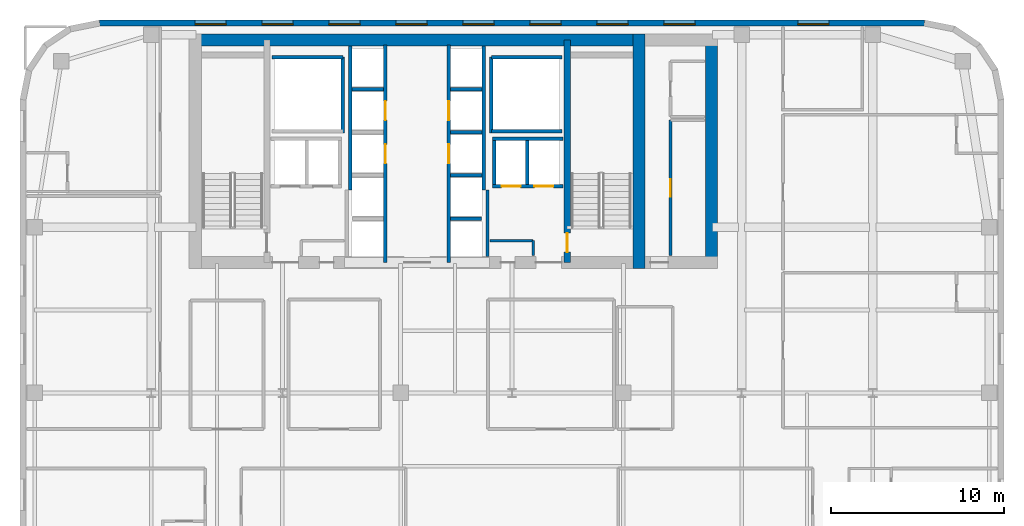
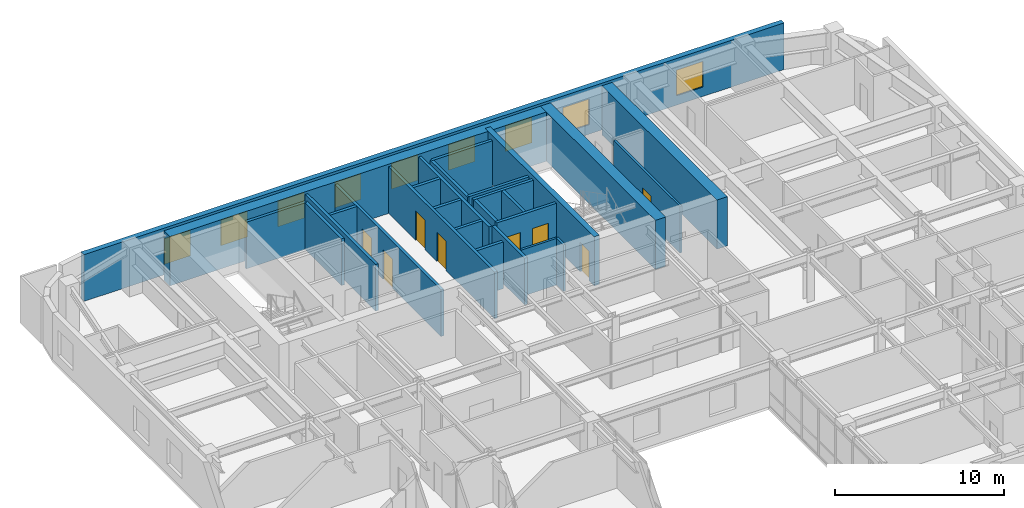
# One storey, part 15 of 17: 27 walls, 9 windows, 8 doors, 17 openings.
"""IFC4 building model written with IfcOpenShell, lengths in metres."""

from ifc_helpers import new_model, si_unit, direction, frame, frame_2d, origin, place, context, subcontext, project, spatial, rectangle, extrude, source, transform, mapped, material, layer, layer_set, type_object, type_shapes, element, fill, save


model = new_model("IFC4")

# Units and contexts
model_context = context("Model", 3, precision=1e-05, world=origin(), true_north=direction((0.0, 1.0)))
body_context = subcontext(model_context, "Body", "Model", "MODEL_VIEW")
ifc_project = project(units=[si_unit("LENGTHUNIT", "METRE"), si_unit("AREAUNIT", "SQUARE_METRE"), si_unit("VOLUMEUNIT", "CUBIC_METRE"), si_unit("PLANEANGLEUNIT", "RADIAN"), si_unit("MASSUNIT", "GRAM", prefix="KILO")], contexts=[model_context])

# Site, building, storey
site_placement = place(None, origin())
site = spatial("IfcSite", under=ifc_project, at=site_placement, CompositionType="ELEMENT")
building_placement = place(site_placement, origin())
building = spatial("IfcBuilding", under=site, at=building_placement, Name="Tolvann Quenvar Hotel", CompositionType="ELEMENT")
storey_placement = place(building_placement, frame((0.0, 0.0, 136.39990234375)))
storey = spatial("IfcBuildingStorey", under=building, at=storey_placement, Name="L35", CompositionType="ELEMENT", Elevation=136.39990234375)

# Walls
ifc_material_1 = material(Name="Concrete S65 (65 MPa)", Category="concrete")
ifc_layer_1 = layer(ifc_material_1, 0.699951171875)
ifc_layer_set_1 = layer_set([ifc_layer_1], Name="Concrete S65 (65 MPa)")
wall_type_1 = type_object("IfcWallType", Name="WALL_CORE_700", PredefinedType="SHEAR", material=ifc_layer_set_1)
wall_1_placement = place(storey_placement, frame((9.800048828125, 44.85009765625, 0.0), z_axis=(0.0, 0.0, 1.0), x_axis=(1.0, 0.0, 0.0)))
element("IfcWall", 1, at=wall_1_placement, inside=storey, type_object=wall_type_1, Name="Rear Core N Shear Wall (L35)", PredefinedType="SHEAR", context=body_context, shape_type="SweptSolid", body=[
    extrude(rectangle(XDim=26.39990234375, YDim=0.699951171875, at=frame_2d((13.199951171875, 0.0))), origin(), (0.0, 0.0, 1.0), 3.550048828125),
])
for number, where, z_axis, x_axis, name in (
    (2, (35.85009765625, 31.60009765625, 0.0), (0.0, 0.0, 1.0), (0.0, 1.0, 0.0), "Rear Core E Shear Wall (L35)"),
    (3, (40.050048828125, 31.60009765625, 0.0), (0.0, 0.0, 1.0), (0.0, 1.0, 0.0), "Core East Annex Shear Wall ANN-E (L35)"),
):
    element("IfcWall", number, at=place(storey_placement, frame(where, z_axis=z_axis, x_axis=x_axis)), inside=storey, type_object=wall_type_1, Name=name, PredefinedType="SHEAR", context=body_context, shape_type="SweptSolid", body=[
        extrude(rectangle(XDim=13.599853515625, YDim=0.699951171875, at=frame_2d((6.7998046875, 0.0))), origin(), (0.0, 0.0, 1.0), 3.550048828125),
    ])

# Wall, opening, door
ifc_layer_2 = layer(ifc_material_1, 0.35009765625)
ifc_layer_set_2 = layer_set([ifc_layer_2], Name="Concrete S65 (65 MPa)")
wall_type_2 = type_object("IfcWallType", Name="WALL_CORE_INT_350", PredefinedType="SHEAR", material=ifc_layer_set_2)
wall_2_placement = place(storey_placement, frame((31.699951171875, 31.949951171875, 0.0), z_axis=(0.0, 0.0, 1.0), x_axis=(0.0, 1.0, 0.0)))
wall_2 = element("IfcWall", 4, at=wall_2_placement, inside=storey, type_object=wall_type_2, Name="Core Internal Web Shear Wall WEB-E (L35)", PredefinedType="SHEAR", context=body_context, shape_type="SweptSolid", body=[
    extrude(rectangle(XDim=12.900146484375, YDim=0.35009765625, at=frame_2d((6.4501953125, 0.0))), origin(), (0.0, 0.0, 1.0), 3.550048828125),
])
opening_1_placement = place(wall_2_placement, frame((1.7001953125, 0.0, 0.0), z_axis=(0.0, 0.0, 1.0), x_axis=(-1.0, 0.0, 0.0)))
opening_1 = element("IfcOpeningElement", 5, at=opening_1_placement, cuts=wall_2, Name="Opening FD-120", PredefinedType="OPENING", context=body_context, shape_type="SweptSolid", body=[
    extrude(rectangle(XDim=1.10009765625, YDim=2.1201171875, at=frame_2d((0.550048828125, 1.06005859375))), frame((0.0, 0.18505859375, 0.0), z_axis=(0.0, -1.0, 0.0), x_axis=(1.0, 0.0, 0.0)), (0.0, 0.0, 1.0), 0.3701171875),
])
ifc_material_2 = material(Name="Pressed galvanised steel fire-rated door set", Category="steel")
door_type_1 = type_object("IfcDoorType", Name="DOOR_FIRE_STAIR_1100", OperationType="NOTDEFINED", PredefinedType="DOOR", material=ifc_material_2)
shared_shape_1 = source(origin(), body_context, "Body", "SweptSolid", [
    extrude(rectangle(XDim=1.10009765625, YDim=2.1201171875, at=frame_2d((0.550048828125, 1.06005859375))), frame((0.0, 0.02490234375, 0.0), z_axis=(0.0, -1.0, 0.0), x_axis=(1.0, 0.0, 0.0)), (0.0, 0.0, 1.0), 0.050048828125),
])
type_shapes(door_type_1, [shared_shape_1])
door_1_placement = place(opening_1_placement, origin())
door_1 = element("IfcDoor", 6, at=door_1_placement, inside=storey, type_object=door_type_1, Name="Exit Stair ST-C2 Fire Door (L35)", OperationType="SINGLE_SWING_RIGHT", OverallHeight=2.1201171875, OverallWidth=1.10009765625, PredefinedType="DOOR", context=body_context, shape_type="MappedRepresentation", body=[
    mapped(shared_shape_1, transform((0.0, 0.0, 0.0), x_axis=(1.0, 0.0, 0.0), y_axis=(0.0, 1.0, 0.0), z_axis=(0.0, 0.0, 1.0), scale=1.0)),
])
fill(opening_1, door_1)

# Wall, openings, windows
ifc_material_3 = material(Name="Kiln-fired red and buff architectural clay brickwork and terracotta masonry", Category="masonry")
ifc_layer_3 = layer(ifc_material_3, 0.35009765625)
ifc_layer_set_3 = layer_set([ifc_layer_3], Name="Kiln-fired red and buff architectural clay brickwork and terracotta masonry")
wall_type_3 = type_object("IfcWallType", Name="WALL_EXT_BRICK_350", PredefinedType="SOLIDWALL", material=ifc_layer_set_3)
wall_3_placement = place(storey_placement, frame((52.3828125, 45.824951171875, 0.0), z_axis=(0.0, 0.0, 1.0), x_axis=(-1.0, 0.0, 0.0)))
wall_3 = element("IfcWall", 7, at=wall_3_placement, inside=storey, type_object=wall_type_3, Name="Exterior Chicago Brick Wall L35-E18", PredefinedType="SOLIDWALL", context=body_context, shape_type="SweptSolid", body=[
    extrude(rectangle(XDim=47.765625, YDim=0.35009765625, at=frame_2d((23.8828125, 0.0))), origin(), (0.0, 0.0, 1.0), 3.3701171875),
])
opening_2_placement = place(wall_3_placement, frame((5.52099609375, 0.0, 0.679931640625)))
opening_2 = element("IfcOpeningElement", 8, at=opening_2_placement, cuts=wall_3, Name="Opening W-03", PredefinedType="OPENING", context=body_context, shape_type="SweptSolid", body=[
    extrude(rectangle(XDim=1.800048828125, YDim=1.85009765625, at=frame_2d((0.89990234375, 0.925048828125))), frame((0.0, 0.18505859375, 0.0), z_axis=(0.0, -1.0, 0.0), x_axis=(1.0, 0.0, 0.0)), (0.0, 0.0, 1.0), 0.3701171875),
])
opening_3_placement = place(wall_3_placement, frame((13.281982421875, 0.0, 0.679931640625)))
opening_3 = element("IfcOpeningElement", 9, at=opening_3_placement, cuts=wall_3, Name="Opening W-03", PredefinedType="OPENING", context=body_context, shape_type="SweptSolid", body=[
    extrude(rectangle(XDim=1.800048828125, YDim=1.85009765625, at=frame_2d((0.89990234375, 0.925048828125))), frame((0.0, 0.18505859375, 0.0), z_axis=(0.0, -1.0, 0.0), x_axis=(1.0, 0.0, 0.0)), (0.0, 0.0, 1.0), 0.3701171875),
])
opening_4_placement = place(wall_3_placement, frame((17.162109375, 0.0, 0.679931640625)))
opening_4 = element("IfcOpeningElement", 10, at=opening_4_placement, cuts=wall_3, Name="Opening W-03", PredefinedType="OPENING", context=body_context, shape_type="SweptSolid", body=[
    extrude(rectangle(XDim=1.800048828125, YDim=1.85009765625, at=frame_2d((0.89990234375, 0.925048828125))), frame((0.0, 0.18505859375, 0.0), z_axis=(0.0, -1.0, 0.0), x_axis=(1.0, 0.0, 0.0)), (0.0, 0.0, 1.0), 0.3701171875),
])
opening_5_placement = place(wall_3_placement, frame((21.04296875, 0.0, 0.679931640625)))
opening_5 = element("IfcOpeningElement", 11, at=opening_5_placement, cuts=wall_3, Name="Opening W-03", PredefinedType="OPENING", context=body_context, shape_type="SweptSolid", body=[
    extrude(rectangle(XDim=1.800048828125, YDim=1.85009765625, at=frame_2d((0.89990234375, 0.925048828125))), frame((0.0, 0.18505859375, 0.0), z_axis=(0.0, -1.0, 0.0), x_axis=(1.0, 0.0, 0.0)), (0.0, 0.0, 1.0), 0.3701171875),
])
opening_6_placement = place(wall_3_placement, frame((24.923095703125, 0.0, 0.679931640625)))
opening_6 = element("IfcOpeningElement", 12, at=opening_6_placement, cuts=wall_3, Name="Opening W-03", PredefinedType="OPENING", context=body_context, shape_type="SweptSolid", body=[
    extrude(rectangle(XDim=1.800048828125, YDim=1.85009765625, at=frame_2d((0.89990234375, 0.925048828125))), frame((0.0, 0.18505859375, 0.0), z_axis=(0.0, -1.0, 0.0), x_axis=(1.0, 0.0, 0.0)), (0.0, 0.0, 1.0), 0.3701171875),
])
opening_7_placement = place(wall_3_placement, frame((28.803955078125, 0.0, 0.679931640625)))
opening_7 = element("IfcOpeningElement", 13, at=opening_7_placement, cuts=wall_3, Name="Opening W-03", PredefinedType="OPENING", context=body_context, shape_type="SweptSolid", body=[
    extrude(rectangle(XDim=1.800048828125, YDim=1.85009765625, at=frame_2d((0.89990234375, 0.925048828125))), frame((0.0, 0.18505859375, 0.0), z_axis=(0.0, -1.0, 0.0), x_axis=(1.0, 0.0, 0.0)), (0.0, 0.0, 1.0), 0.3701171875),
])
opening_8_placement = place(wall_3_placement, frame((32.68408203125, 0.0, 0.679931640625)))
opening_8 = element("IfcOpeningElement", 14, at=opening_8_placement, cuts=wall_3, Name="Opening W-03", PredefinedType="OPENING", context=body_context, shape_type="SweptSolid", body=[
    extrude(rectangle(XDim=1.800048828125, YDim=1.85009765625, at=frame_2d((0.89990234375, 0.925048828125))), frame((0.0, 0.18505859375, 0.0), z_axis=(0.0, -1.0, 0.0), x_axis=(1.0, 0.0, 0.0)), (0.0, 0.0, 1.0), 0.3701171875),
])
opening_9_placement = place(wall_3_placement, frame((36.56396484375, 0.0, 0.679931640625)))
opening_9 = element("IfcOpeningElement", 15, at=opening_9_placement, cuts=wall_3, Name="Opening W-03", PredefinedType="OPENING", context=body_context, shape_type="SweptSolid", body=[
    extrude(rectangle(XDim=1.800048828125, YDim=1.85009765625, at=frame_2d((0.89990234375, 0.925048828125))), frame((0.0, 0.18505859375, 0.0), z_axis=(0.0, -1.0, 0.0), x_axis=(1.0, 0.0, 0.0)), (0.0, 0.0, 1.0), 0.3701171875),
])
opening_10_placement = place(wall_3_placement, frame((40.445068359375, 0.0, 0.679931640625)))
opening_10 = element("IfcOpeningElement", 16, at=opening_10_placement, cuts=wall_3, Name="Opening W-03", PredefinedType="OPENING", context=body_context, shape_type="SweptSolid", body=[
    extrude(rectangle(XDim=1.800048828125, YDim=1.85009765625, at=frame_2d((0.89990234375, 0.925048828125))), frame((0.0, 0.18505859375, 0.0), z_axis=(0.0, -1.0, 0.0), x_axis=(1.0, 0.0, 0.0)), (0.0, 0.0, 1.0), 0.3701171875),
])
ifc_material_4 = material(Name="Thermally broken bronze-anodised aluminium frame with double low-E glazing", Category="aluminium")
window_type = type_object("IfcWindowType", Name="WIN_CHI_1800x2050", PartitioningType="TRIPLE_PANEL_HORIZONTAL", PredefinedType="WINDOW", material=ifc_material_4)
shared_shape_2 = source(origin(), body_context, "Body", "SweptSolid", [
    extrude(rectangle(XDim=1.800048828125, YDim=1.85009765625, at=frame_2d((0.89990234375, 0.925048828125))), frame((0.0, 0.090087890625, 0.0), z_axis=(0.0, -1.0, 0.0), x_axis=(1.0, 0.0, 0.0)), (0.0, 0.0, 1.0), 0.06005859375),
])
type_shapes(window_type, [shared_shape_2])
window_1_placement = place(opening_2_placement, origin())
window_1 = element("IfcWindow", 17, at=window_1_placement, inside=storey, type_object=window_type, Name="Chicago Window W-03 (EW-L35-E18-W01)", OverallHeight=1.85009765625, OverallWidth=1.800048828125, PartitioningType="TRIPLE_PANEL_HORIZONTAL", PredefinedType="WINDOW", context=body_context, shape_type="MappedRepresentation", body=[
    mapped(shared_shape_2, transform((0.0, 0.0, 0.0), x_axis=(1.0, 0.0, 0.0), y_axis=(0.0, 1.0, 0.0), z_axis=(0.0, 0.0, 1.0), scale=1.0)),
])
fill(opening_2, window_1)
window_2_placement = place(opening_3_placement, origin())
window_2 = element("IfcWindow", 18, at=window_2_placement, inside=storey, type_object=window_type, Name="Chicago Window W-03 (EW-L35-E18-W02)", OverallHeight=1.85009765625, OverallWidth=1.800048828125, PartitioningType="TRIPLE_PANEL_HORIZONTAL", PredefinedType="WINDOW", context=body_context, shape_type="MappedRepresentation", body=[
    mapped(shared_shape_2, transform((0.0, 0.0, 0.0), x_axis=(1.0, 0.0, 0.0), y_axis=(0.0, 1.0, 0.0), z_axis=(0.0, 0.0, 1.0), scale=1.0)),
])
fill(opening_3, window_2)
window_3_placement = place(opening_4_placement, origin())
window_3 = element("IfcWindow", 19, at=window_3_placement, inside=storey, type_object=window_type, Name="Chicago Window W-03 (EW-L35-E18-W03)", OverallHeight=1.85009765625, OverallWidth=1.800048828125, PartitioningType="TRIPLE_PANEL_HORIZONTAL", PredefinedType="WINDOW", context=body_context, shape_type="MappedRepresentation", body=[
    mapped(shared_shape_2, transform((0.0, 0.0, 0.0), x_axis=(1.0, 0.0, 0.0), y_axis=(0.0, 1.0, 0.0), z_axis=(0.0, 0.0, 1.0), scale=1.0)),
])
fill(opening_4, window_3)
window_4_placement = place(opening_5_placement, origin())
window_4 = element("IfcWindow", 20, at=window_4_placement, inside=storey, type_object=window_type, Name="Chicago Window W-03 (EW-L35-E18-W04)", OverallHeight=1.85009765625, OverallWidth=1.800048828125, PartitioningType="TRIPLE_PANEL_HORIZONTAL", PredefinedType="WINDOW", context=body_context, shape_type="MappedRepresentation", body=[
    mapped(shared_shape_2, transform((0.0, 0.0, 0.0), x_axis=(1.0, 0.0, 0.0), y_axis=(0.0, 1.0, 0.0), z_axis=(0.0, 0.0, 1.0), scale=1.0)),
])
fill(opening_5, window_4)
window_5_placement = place(opening_6_placement, origin())
window_5 = element("IfcWindow", 21, at=window_5_placement, inside=storey, type_object=window_type, Name="Chicago Window W-03 (EW-L35-E18-W05)", OverallHeight=1.85009765625, OverallWidth=1.800048828125, PartitioningType="TRIPLE_PANEL_HORIZONTAL", PredefinedType="WINDOW", context=body_context, shape_type="MappedRepresentation", body=[
    mapped(shared_shape_2, transform((0.0, 0.0, 0.0), x_axis=(1.0, 0.0, 0.0), y_axis=(0.0, 1.0, 0.0), z_axis=(0.0, 0.0, 1.0), scale=1.0)),
])
fill(opening_6, window_5)
window_6_placement = place(opening_7_placement, origin())
window_6 = element("IfcWindow", 22, at=window_6_placement, inside=storey, type_object=window_type, Name="Chicago Window W-03 (EW-L35-E18-W06)", OverallHeight=1.85009765625, OverallWidth=1.800048828125, PartitioningType="TRIPLE_PANEL_HORIZONTAL", PredefinedType="WINDOW", context=body_context, shape_type="MappedRepresentation", body=[
    mapped(shared_shape_2, transform((0.0, 0.0, 0.0), x_axis=(1.0, 0.0, 0.0), y_axis=(0.0, 1.0, 0.0), z_axis=(0.0, 0.0, 1.0), scale=1.0)),
])
fill(opening_7, window_6)
window_7_placement = place(opening_8_placement, origin())
window_7 = element("IfcWindow", 23, at=window_7_placement, inside=storey, type_object=window_type, Name="Chicago Window W-03 (EW-L35-E18-W07)", OverallHeight=1.85009765625, OverallWidth=1.800048828125, PartitioningType="TRIPLE_PANEL_HORIZONTAL", PredefinedType="WINDOW", context=body_context, shape_type="MappedRepresentation", body=[
    mapped(shared_shape_2, transform((0.0, 0.0, 0.0), x_axis=(1.0, 0.0, 0.0), y_axis=(0.0, 1.0, 0.0), z_axis=(0.0, 0.0, 1.0), scale=1.0)),
])
fill(opening_8, window_7)
window_8_placement = place(opening_9_placement, origin())
window_8 = element("IfcWindow", 24, at=window_8_placement, inside=storey, type_object=window_type, Name="Chicago Window W-03 (EW-L35-E18-W08)", OverallHeight=1.85009765625, OverallWidth=1.800048828125, PartitioningType="TRIPLE_PANEL_HORIZONTAL", PredefinedType="WINDOW", context=body_context, shape_type="MappedRepresentation", body=[
    mapped(shared_shape_2, transform((0.0, 0.0, 0.0), x_axis=(1.0, 0.0, 0.0), y_axis=(0.0, 1.0, 0.0), z_axis=(0.0, 0.0, 1.0), scale=1.0)),
])
fill(opening_9, window_8)
window_9_placement = place(opening_10_placement, origin())
window_9 = element("IfcWindow", 25, at=window_9_placement, inside=storey, type_object=window_type, Name="Chicago Window W-03 (EW-L35-E18-W09)", OverallHeight=1.85009765625, OverallWidth=1.800048828125, PartitioningType="TRIPLE_PANEL_HORIZONTAL", PredefinedType="WINDOW", context=body_context, shape_type="MappedRepresentation", body=[
    mapped(shared_shape_2, transform((0.0, 0.0, 0.0), x_axis=(1.0, 0.0, 0.0), y_axis=(0.0, 1.0, 0.0), z_axis=(0.0, 0.0, 1.0), scale=1.0)),
])
fill(opening_10, window_9)

# Walls
ifc_material_5 = material(Name="Acoustic twin-stud fire-rated gypsum plasterboard partition")
ifc_layer_4 = layer(ifc_material_5, 0.14990234375)
ifc_layer_set_4 = layer_set([ifc_layer_4], Name="Acoustic twin-stud fire-rated gypsum plasterboard partition")
wall_type_4 = type_object("IfcWallType", Name="WALL_PART_SUITE_150", PredefinedType="PARTITIONING", material=ifc_layer_set_4)
wall_4_placement = place(storey_placement, frame((27.235107421875, 33.219970703125, 0.0), z_axis=(0.0, 0.0, 1.0), x_axis=(1.0, 0.0, 0.0)))
element("IfcWall", 26, at=wall_4_placement, inside=storey, type_object=wall_type_4, Name="Interior Partition PT-SPC-L35-CSE-2-N", PredefinedType="PARTITIONING", context=body_context, shape_type="SweptSolid", body=[
    extrude(rectangle(XDim=2.48486328125, YDim=0.14990234375, at=frame_2d((1.242431640625, 0.0))), origin(), (0.0, 0.0, 1.0), 3.3701171875),
])
wall_5_placement = place(storey_placement, frame((29.719970703125, 32.35498046875, 0.0), z_axis=(0.0, 0.0, 1.0), x_axis=(0.0, 1.0, 0.0)))
element("IfcWall", 27, at=wall_5_placement, inside=storey, type_object=wall_type_4, Name="Interior Partition PT-SPC-L35-CSE-2-E", PredefinedType="PARTITIONING", context=body_context, shape_type="SweptSolid", body=[
    extrude(rectangle(XDim=0.864990234375, YDim=0.14990234375, at=frame_2d((0.4326171875, 0.0))), origin(), (0.0, 0.0, 1.0), 3.3701171875),
])

# Wall, opening, door
wall_6_placement = place(storey_placement, frame((37.679931640625, 32.35498046875, 0.0), z_axis=(0.0, 0.0, 1.0), x_axis=(0.0, 1.0, 0.0)))
wall_6 = element("IfcWall", 28, at=wall_6_placement, inside=storey, type_object=wall_type_4, Name="Interior Partition PT-SPC-L35-RECPL-1-W", PredefinedType="PARTITIONING", context=body_context, shape_type="SweptSolid", body=[
    extrude(rectangle(XDim=7.844970703125, YDim=0.14990234375, at=frame_2d((3.92236328125, 0.0))), origin(), (0.0, 0.0, 1.0), 3.3701171875),
])
opening_11_placement = place(wall_6_placement, frame((3.41259765625, 0.0, 0.0)))
opening_11 = element("IfcOpeningElement", 29, at=opening_11_placement, cuts=wall_6, Name="Opening HD-01", PredefinedType="OPENING", context=body_context, shape_type="SweptSolid", body=[
    extrude(rectangle(XDim=1.02001953125, YDim=2.030029296875, at=frame_2d((0.510009765625, 1.01513671875))), frame((0.0, 0.0849609375, 0.0), z_axis=(0.0, -1.0, 0.0), x_axis=(1.0, 0.0, 0.0)), (0.0, 0.0, 1.0), 0.169921875),
])
door_type_2 = type_object("IfcDoorType", Name="DOOR_BOH_1020", OperationType="NOTDEFINED", PredefinedType="DOOR", material=ifc_material_2)
shared_shape_3 = source(origin(), body_context, "Body", "SweptSolid", [
    extrude(rectangle(XDim=1.02001953125, YDim=2.030029296875, at=frame_2d((0.510009765625, 1.01513671875))), frame((0.0, 0.02490234375, 0.0), z_axis=(0.0, -1.0, 0.0), x_axis=(1.0, 0.0, 0.0)), (0.0, 0.0, 1.0), 0.050048828125),
])
type_shapes(door_type_2, [shared_shape_3])
door_2_placement = place(opening_11_placement, origin())
door_2 = element("IfcDoor", 30, at=door_2_placement, inside=storey, type_object=door_type_2, Name="Interior Door DOOR-SPC-L35-RECPL-1", OperationType="SINGLE_SWING_RIGHT", OverallHeight=2.030029296875, OverallWidth=1.02001953125, PredefinedType="DOOR", context=body_context, shape_type="MappedRepresentation", body=[
    mapped(shared_shape_3, transform((0.0, 0.0, 0.0), x_axis=(1.0, 0.0, 0.0), y_axis=(0.0, 1.0, 0.0), z_axis=(0.0, 0.0, 1.0), scale=1.0)),
])
fill(opening_11, door_2)

# Walls
ifc_material_6 = material(Name="Concrete N40 (40 MPa)", Category="concrete")
ifc_layer_5 = layer(ifc_material_6, 0.199951171875)
ifc_layer_set_5 = layer_set([ifc_layer_5], Name="Concrete N40 (40 MPa)")
wall_type_5 = type_object("IfcWallType", Name="WALL_SHAFT_200", PredefinedType="SOLIDWALL", material=ifc_layer_set_5)
wall_7_placement = place(storey_placement, frame((18.699951171875, 39.449951171875, 0.0), z_axis=(0.0, 0.0, 1.0), x_axis=(0.0, 1.0, 0.0)))
element("IfcWall", 31, at=wall_7_placement, inside=storey, type_object=wall_type_5, Name="Service Riser W Shaft Wall IN (L35)", PredefinedType="SOLIDWALL", context=body_context, shape_type="SweptSolid", body=[
    extrude(rectangle(XDim=4.400146484375, YDim=0.199951171875, at=frame_2d((2.2001953125, 0.0))), origin(), (0.0, 0.0, 1.0), 3.3701171875),
])
wall_8_placement = place(storey_placement, frame((14.60009765625, 43.85009765625, 0.0), z_axis=(0.0, 0.0, 1.0), x_axis=(1.0, 0.0, 0.0)))
element("IfcWall", 32, at=wall_8_placement, inside=storey, type_object=wall_type_5, Name="Service Riser W Shaft Wall N (L35)", PredefinedType="SOLIDWALL", context=body_context, shape_type="SweptSolid", body=[
    extrude(rectangle(XDim=4.099853515625, YDim=0.199951171875, at=frame_2d((2.0498046875, 0.0))), origin(), (0.0, 0.0, 1.0), 3.3701171875),
])
wall_9_placement = place(storey_placement, frame((27.300048828125, 39.449951171875, 0.0), z_axis=(0.0, 0.0, 1.0), x_axis=(0.0, 1.0, 0.0)))
element("IfcWall", 33, at=wall_9_placement, inside=storey, type_object=wall_type_5, Name="Service Riser E Shaft Wall IN (L35)", PredefinedType="SOLIDWALL", context=body_context, shape_type="SweptSolid", body=[
    extrude(rectangle(XDim=4.400146484375, YDim=0.199951171875, at=frame_2d((2.2001953125, 0.0))), origin(), (0.0, 0.0, 1.0), 3.3701171875),
])
for number, where, z_axis, x_axis, name in (
    (34, (27.300048828125, 39.550048828125, 0.0), (0.0, 0.0, 1.0), (1.0, 0.0, 0.0), "Service Riser E Shaft Wall S (L35)"),
    (35, (27.300048828125, 43.85009765625, 0.0), (0.0, 0.0, 1.0), (1.0, 0.0, 0.0), "Service Riser E Shaft Wall N (L35)"),
):
    element("IfcWall", number, at=place(storey_placement, frame(where, z_axis=z_axis, x_axis=x_axis)), inside=storey, type_object=wall_type_5, Name=name, PredefinedType="SOLIDWALL", context=body_context, shape_type="SweptSolid", body=[
        extrude(rectangle(XDim=4.099853515625, YDim=0.199951171875, at=frame_2d((2.0498046875, 0.0))), origin(), (0.0, 0.0, 1.0), 3.3701171875),
    ])
wall_10_placement = place(storey_placement, frame((27.080078125, 32.303955078125, 0.0), z_axis=(0.0, 0.0, 1.0), x_axis=(0.0, 1.0, 0.0)))
element("IfcWall", 36, at=wall_10_placement, inside=storey, type_object=wall_type_5, Name="Firefighting Lobby E Inner Fire Wall (L35)", PredefinedType="SOLIDWALL", context=body_context, shape_type="SweptSolid", body=[
    extrude(rectangle(XDim=3.845947265625, YDim=0.199951171875, at=frame_2d((1.9228515625, 0.0))), origin(), (0.0, 0.0, 1.0), 3.3701171875),
])

# Wall, openings, doors
wall_11_placement = place(storey_placement, frame((21.169921875, 31.9599609375, 0.0), z_axis=(0.0, 0.0, 1.0), x_axis=(0.0, 1.0, 0.0)))
wall_11 = element("IfcWall", 37, at=wall_11_placement, inside=storey, type_object=wall_type_5, Name="Lift Bank E21.1C1 Hoistway Front Wall (L35)", PredefinedType="SOLIDWALL", context=body_context, shape_type="SweptSolid", body=[
    extrude(rectangle(XDim=12.580078125, YDim=0.199951171875, at=frame_2d((6.2900390625, 0.0))), origin(), (0.0, 0.0, 1.0), 3.3701171875),
])
opening_12_placement = place(wall_11_placement, frame((5.739990234375, 0.0, 0.0)))
opening_12 = element("IfcOpeningElement", 38, at=opening_12_placement, cuts=wall_11, Name="Opening LD-01", PredefinedType="OPENING", context=body_context, shape_type="SweptSolid", body=[
    extrude(rectangle(XDim=1.10009765625, YDim=2.1201171875, at=frame_2d((0.550048828125, 1.06005859375))), frame((0.0, 0.10986328125, 0.0), z_axis=(0.0, -1.0, 0.0), x_axis=(1.0, 0.0, 0.0)), (0.0, 0.0, 1.0), 0.219970703125),
])
opening_13_placement = place(wall_11_placement, frame((8.239990234375, 0.0, 0.0)))
opening_13 = element("IfcOpeningElement", 39, at=opening_13_placement, cuts=wall_11, Name="Opening LD-01", PredefinedType="OPENING", context=body_context, shape_type="SweptSolid", body=[
    extrude(rectangle(XDim=1.10009765625, YDim=2.1201171875, at=frame_2d((0.550048828125, 1.06005859375))), frame((0.0, 0.10986328125, 0.0), z_axis=(0.0, -1.0, 0.0), x_axis=(1.0, 0.0, 0.0)), (0.0, 0.0, 1.0), 0.219970703125),
])
ifc_material_7 = material(Name="Brushed 316 stainless steel automatic sliding lift landing door", Category="steel")
door_type_3 = type_object("IfcDoorType", Name="DOOR_LIFT_SLIDE_1100", OperationType="NOTDEFINED", PredefinedType="DOOR", material=ifc_material_7)
shared_shape_4 = source(origin(), body_context, "Body", "SweptSolid", [
    extrude(rectangle(XDim=1.10009765625, YDim=2.1201171875, at=frame_2d((0.550048828125, 1.06005859375))), frame((0.0, 0.02490234375, 0.0), z_axis=(0.0, -1.0, 0.0), x_axis=(1.0, 0.0, 0.0)), (0.0, 0.0, 1.0), 0.050048828125),
])
type_shapes(door_type_3, [shared_shape_4])
door_3_placement = place(opening_12_placement, origin())
door_3 = element("IfcDoor", 40, at=door_3_placement, inside=storey, type_object=door_type_3, Name="Lift PM-1 Sliding Landing Door (L35)", OperationType="SLIDING_TO_RIGHT", OverallHeight=2.1201171875, OverallWidth=1.10009765625, PredefinedType="DOOR", context=body_context, shape_type="MappedRepresentation", body=[
    mapped(shared_shape_4, transform((0.0, 0.0, 0.0), x_axis=(1.0, 0.0, 0.0), y_axis=(0.0, 1.0, 0.0), z_axis=(0.0, 0.0, 1.0), scale=1.0)),
])
fill(opening_12, door_3)
door_4_placement = place(opening_13_placement, origin())
door_4 = element("IfcDoor", 41, at=door_4_placement, inside=storey, type_object=door_type_3, Name="Lift PM-2 Sliding Landing Door (L35)", OperationType="SLIDING_TO_LEFT", OverallHeight=2.1201171875, OverallWidth=1.10009765625, PredefinedType="DOOR", context=body_context, shape_type="MappedRepresentation", body=[
    mapped(shared_shape_4, transform((0.0, 0.0, 0.0), x_axis=(1.0, 0.0, 0.0), y_axis=(0.0, 1.0, 0.0), z_axis=(0.0, 0.0, 1.0), scale=1.0)),
])
fill(opening_13, door_4)

# Walls
wall_12_placement = place(storey_placement, frame((19.1298828125, 36.159912109375, 0.0), z_axis=(0.0, 0.0, 1.0), x_axis=(0.0, 1.0, 0.0)))
element("IfcWall", 42, at=wall_12_placement, inside=storey, type_object=wall_type_5, Name="Lift Bank E21.1C1 Hoistway Rear Wall (L35)", PredefinedType="SOLIDWALL", context=body_context, shape_type="SweptSolid", body=[
    extrude(rectangle(XDim=8.336181640625, YDim=0.199951171875, at=frame_2d((4.16796875, 0.0))), origin(), (0.0, 0.0, 1.0), 3.3701171875),
])
wall_13_placement = place(storey_placement, frame((19.22998046875, 42.0, 0.0), z_axis=(0.0, 0.0, 1.0), x_axis=(1.0, 0.0, 0.0)))
element("IfcWall", 43, at=wall_13_placement, inside=storey, type_object=wall_type_5, Name="Lift Bank E21.1C1 Divider Wall 4 (L35)", PredefinedType="SOLIDWALL", context=body_context, shape_type="SweptSolid", body=[
    extrude(rectangle(XDim=1.840087890625, YDim=0.199951171875, at=frame_2d((0.919921875, 0.0))), origin(), (0.0, 0.0, 1.0), 3.3701171875),
])

# Wall, openings, doors
wall_14_placement = place(storey_placement, frame((27.375, 36.3798828125, 0.0), z_axis=(0.0, 0.0, 1.0), x_axis=(1.0, 0.0, 0.0)))
wall_14 = element("IfcWall", 44, at=wall_14_placement, inside=storey, type_object=wall_type_5, Name="Lift Bank SEC1 Hoistway Front Wall (L35)", PredefinedType="SOLIDWALL", context=body_context, shape_type="SweptSolid", body=[
    extrude(rectangle(XDim=4.074951171875, YDim=0.199951171875, at=frame_2d((2.03759765625, 0.0))), origin(), (0.0, 0.0, 1.0), 3.3701171875),
])
opening_14_placement = place(wall_14_placement, frame((0.52490234375, 0.0, 0.0)))
opening_14 = element("IfcOpeningElement", 45, at=opening_14_placement, cuts=wall_14, Name="Opening LD-01", PredefinedType="OPENING", context=body_context, shape_type="SweptSolid", body=[
    extrude(rectangle(XDim=1.10009765625, YDim=2.1201171875, at=frame_2d((0.550048828125, 1.06005859375))), frame((0.0, 0.10986328125, 0.0), z_axis=(0.0, -1.0, 0.0), x_axis=(1.0, 0.0, 0.0)), (0.0, 0.0, 1.0), 0.219970703125),
])
opening_15_placement = place(wall_14_placement, frame((2.425048828125, 0.0, 0.0)))
opening_15 = element("IfcOpeningElement", 46, at=opening_15_placement, cuts=wall_14, Name="Opening LD-01", PredefinedType="OPENING", context=body_context, shape_type="SweptSolid", body=[
    extrude(rectangle(XDim=1.10009765625, YDim=2.1201171875, at=frame_2d((0.550048828125, 1.06005859375))), frame((0.0, 0.10986328125, 0.0), z_axis=(0.0, -1.0, 0.0), x_axis=(1.0, 0.0, 0.0)), (0.0, 0.0, 1.0), 0.219970703125),
])
door_5_placement = place(opening_14_placement, origin())
door_5 = element("IfcDoor", 47, at=door_5_placement, inside=storey, type_object=door_type_3, Name="Lift SV-2 Sliding Landing Door (L35)", OperationType="SLIDING_TO_LEFT", OverallHeight=2.1201171875, OverallWidth=1.10009765625, PredefinedType="DOOR", context=body_context, shape_type="MappedRepresentation", body=[
    mapped(shared_shape_4, transform((0.0, 0.0, 0.0), x_axis=(1.0, 0.0, 0.0), y_axis=(0.0, 1.0, 0.0), z_axis=(0.0, 0.0, 1.0), scale=1.0)),
])
fill(opening_14, door_5)
door_6_placement = place(opening_15_placement, origin())
door_6 = element("IfcDoor", 48, at=door_6_placement, inside=storey, type_object=door_type_3, Name="Lift FF-2 Sliding Landing Door (L35)", OperationType="SLIDING_TO_RIGHT", OverallHeight=2.1201171875, OverallWidth=1.10009765625, PredefinedType="DOOR", context=body_context, shape_type="MappedRepresentation", body=[
    mapped(shared_shape_4, transform((0.0, 0.0, 0.0), x_axis=(1.0, 0.0, 0.0), y_axis=(0.0, 1.0, 0.0), z_axis=(0.0, 0.0, 1.0), scale=1.0)),
])
fill(opening_15, door_6)

# Walls
wall_15_placement = place(storey_placement, frame((27.375, 39.1201171875, 0.0), z_axis=(0.0, 0.0, 1.0), x_axis=(1.0, 0.0, 0.0)))
element("IfcWall", 49, at=wall_15_placement, inside=storey, type_object=wall_type_5, Name="Lift Bank SEC1 Hoistway Rear Wall (L35)", PredefinedType="SOLIDWALL", context=body_context, shape_type="SweptSolid", body=[
    extrude(rectangle(XDim=4.074951171875, YDim=0.199951171875, at=frame_2d((2.03759765625, 0.0))), origin(), (0.0, 0.0, 1.0), 3.3701171875),
])
for number, where, z_axis, x_axis, name in (
    (50, (27.47509765625, 36.47998046875, 0.0), (0.0, 0.0, 1.0), (0.0, 1.0, 0.0), "Lift Bank SEC1 Hoistway Cheek Wall 1 (L35)"),
    (51, (29.387451171875, 36.47998046875, 0.0), (0.0, 0.0, 1.0), (0.0, 1.0, 0.0), "Lift Bank SEC1 Divider Wall 1 (L35)"),
):
    element("IfcWall", number, at=place(storey_placement, frame(where, z_axis=z_axis, x_axis=x_axis)), inside=storey, type_object=wall_type_5, Name=name, PredefinedType="SOLIDWALL", context=body_context, shape_type="SweptSolid", body=[
        extrude(rectangle(XDim=2.5400390625, YDim=0.199951171875, at=frame_2d((1.27001953125, 0.0))), origin(), (0.0, 0.0, 1.0), 3.3701171875),
    ])

# Wall, openings, doors
wall_16_placement = place(storey_placement, frame((24.830078125, 31.9599609375, 0.0), z_axis=(0.0, 0.0, 1.0), x_axis=(0.0, 1.0, 0.0)))
wall_16 = element("IfcWall", 52, at=wall_16_placement, inside=storey, type_object=wall_type_5, Name="Lift Bank W24.9C1 Hoistway Front Wall (L35)", PredefinedType="SOLIDWALL", context=body_context, shape_type="SweptSolid", body=[
    extrude(rectangle(XDim=12.580078125, YDim=0.199951171875, at=frame_2d((6.2900390625, 0.0))), origin(), (0.0, 0.0, 1.0), 3.3701171875),
])
opening_16_placement = place(wall_16_placement, frame((5.739990234375, 0.0, 0.0)))
opening_16 = element("IfcOpeningElement", 53, at=opening_16_placement, cuts=wall_16, Name="Opening LD-01", PredefinedType="OPENING", context=body_context, shape_type="SweptSolid", body=[
    extrude(rectangle(XDim=1.10009765625, YDim=2.1201171875, at=frame_2d((0.550048828125, 1.06005859375))), frame((0.0, 0.10986328125, 0.0), z_axis=(0.0, -1.0, 0.0), x_axis=(1.0, 0.0, 0.0)), (0.0, 0.0, 1.0), 0.219970703125),
])
opening_17_placement = place(wall_16_placement, frame((8.239990234375, 0.0, 0.0)))
opening_17 = element("IfcOpeningElement", 54, at=opening_17_placement, cuts=wall_16, Name="Opening LD-01", PredefinedType="OPENING", context=body_context, shape_type="SweptSolid", body=[
    extrude(rectangle(XDim=1.10009765625, YDim=2.1201171875, at=frame_2d((0.550048828125, 1.06005859375))), frame((0.0, 0.10986328125, 0.0), z_axis=(0.0, -1.0, 0.0), x_axis=(1.0, 0.0, 0.0)), (0.0, 0.0, 1.0), 0.219970703125),
])
door_7_placement = place(opening_16_placement, origin())
door_7 = element("IfcDoor", 55, at=door_7_placement, inside=storey, type_object=door_type_3, Name="Lift PM-3 Sliding Landing Door (L35)", OperationType="SLIDING_TO_RIGHT", OverallHeight=2.1201171875, OverallWidth=1.10009765625, PredefinedType="DOOR", context=body_context, shape_type="MappedRepresentation", body=[
    mapped(shared_shape_4, transform((0.0, 0.0, 0.0), x_axis=(1.0, 0.0, 0.0), y_axis=(0.0, 1.0, 0.0), z_axis=(0.0, 0.0, 1.0), scale=1.0)),
])
fill(opening_16, door_7)
door_8_placement = place(opening_17_placement, origin())
door_8 = element("IfcDoor", 56, at=door_8_placement, inside=storey, type_object=door_type_3, Name="Lift PM-4 Sliding Landing Door (L35)", OperationType="SLIDING_TO_LEFT", OverallHeight=2.1201171875, OverallWidth=1.10009765625, PredefinedType="DOOR", context=body_context, shape_type="MappedRepresentation", body=[
    mapped(shared_shape_4, transform((0.0, 0.0, 0.0), x_axis=(1.0, 0.0, 0.0), y_axis=(0.0, 1.0, 0.0), z_axis=(0.0, 0.0, 1.0), scale=1.0)),
])
fill(opening_17, door_8)

# Walls
wall_17_placement = place(storey_placement, frame((26.8701171875, 36.159912109375, 0.0), z_axis=(0.0, 0.0, 1.0), x_axis=(0.0, 1.0, 0.0)))
element("IfcWall", 57, at=wall_17_placement, inside=storey, type_object=wall_type_5, Name="Lift Bank W24.9C1 Hoistway Rear Wall (L35)", PredefinedType="SOLIDWALL", context=body_context, shape_type="SweptSolid", body=[
    extrude(rectangle(XDim=8.336181640625, YDim=0.199951171875, at=frame_2d((4.16796875, 0.0))), origin(), (0.0, 0.0, 1.0), 3.3701171875),
])
wall_18_placement = place(storey_placement, frame((24.929931640625, 34.5, 0.0), z_axis=(0.0, 0.0, 1.0), x_axis=(1.0, 0.0, 0.0)))
element("IfcWall", 58, at=wall_18_placement, inside=storey, type_object=wall_type_5, Name="Lift Bank W24.9C1 Divider Wall 1 (L35)", PredefinedType="SOLIDWALL", context=body_context, shape_type="SweptSolid", body=[
    extrude(rectangle(XDim=1.800048828125, YDim=0.199951171875, at=frame_2d((0.89990234375, 0.0))), origin(), (0.0, 0.0, 1.0), 3.3701171875),
])
for number, where, z_axis, x_axis, name in (
    (59, (24.929931640625, 37.0, 0.0), (0.0, 0.0, 1.0), (1.0, 0.0, 0.0), "Lift Bank W24.9C1 Divider Wall 2 (L35)"),
    (60, (24.929931640625, 39.5, 0.0), (0.0, 0.0, 1.0), (1.0, 0.0, 0.0), "Lift Bank W24.9C1 Divider Wall 3 (L35)"),
    (61, (24.929931640625, 42.0, 0.0), (0.0, 0.0, 1.0), (1.0, 0.0, 0.0), "Lift Bank W24.9C1 Divider Wall 4 (L35)"),
):
    element("IfcWall", number, at=place(storey_placement, frame(where, z_axis=z_axis, x_axis=x_axis)), inside=storey, type_object=wall_type_5, Name=name, PredefinedType="SOLIDWALL", context=body_context, shape_type="SweptSolid", body=[
        extrude(rectangle(XDim=1.840087890625, YDim=0.199951171875, at=frame_2d((0.919921875, 0.0))), origin(), (0.0, 0.0, 1.0), 3.3701171875),
    ])

save(model, "model.ifc")
